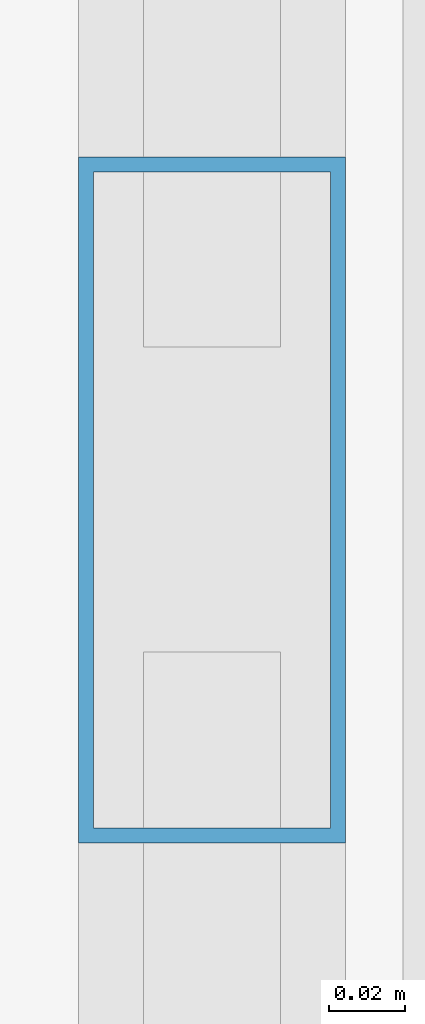
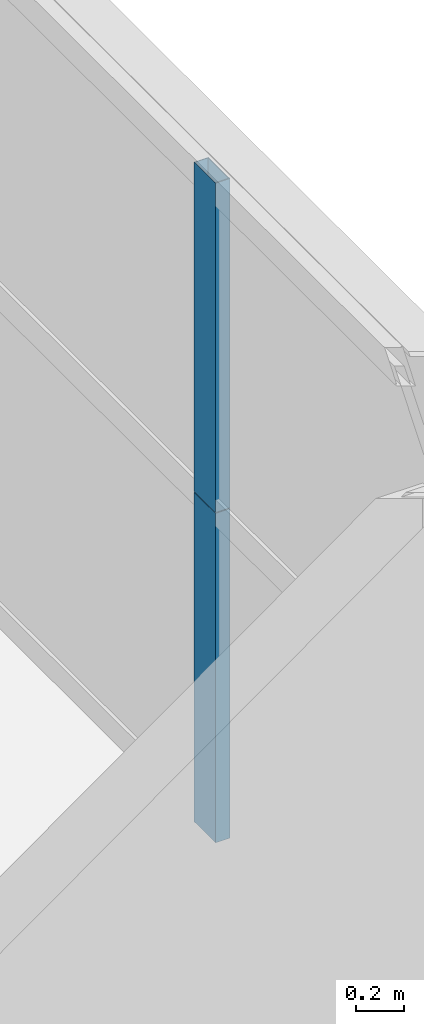
# One storey, part 28 of 38: 2 members, 1 element without a shape of its own.
"""IFC4 building model written with IfcOpenShell, lengths in metres."""

from ifc_helpers import new_model, si_unit, direction, frame, origin, origin_2d, place, context, subcontext, project, spatial, hollow_rectangle, extrude, source, transform, mapped, material, layer, layer_set, material_profile, profile_set, type_object, element, aggregate, save


model = new_model("IFC4")

# Units and contexts
model_context = context("Model", 3, precision=1e-05, world=origin(), true_north=direction((0.0, 1.0)))
body_context = subcontext(model_context, "Body", "Model", "MODEL_VIEW")
ifc_project = project(units=[si_unit("LENGTHUNIT", "METRE"), si_unit("AREAUNIT", "SQUARE_METRE"), si_unit("VOLUMEUNIT", "CUBIC_METRE"), si_unit("PLANEANGLEUNIT", "RADIAN"), si_unit("MASSUNIT", "GRAM", prefix="KILO"), si_unit("THERMODYNAMICTEMPERATUREUNIT", "KELVIN"), si_unit("POWERUNIT", "WATT")], contexts=[model_context])

# Site, building, storey
site_placement = place(None, origin())
site = spatial("IfcSite", under=ifc_project, at=site_placement, CompositionType="ELEMENT")
building_placement = place(site_placement, origin())
building = spatial("IfcBuilding", under=site, at=building_placement, Name="Yuzanri Waterfront Tower", CompositionType="ELEMENT")
storey_placement = place(building_placement, frame((0.0, 0.0, 90.199951171875)))
storey = spatial("IfcBuildingStorey", under=building, at=storey_placement, Name="L23", CompositionType="ELEMENT", Elevation=90.199951171875)

# Curtain wall, members
ifc_material_1 = material(Name="Anodized Architectural Bronze", Category="metal")
ifc_layer = layer(ifc_material_1, 0.159912109375)
ifc_layer_set = layer_set([ifc_layer], Name="Anodized Architectural Bronze")
curtain_wall_type = type_object("IfcCurtainWallType", Name="Anodized Bronze Hotel Upper-Tier Solar-Control Unitized Curtain Wall 7800", PredefinedType="NOTDEFINED", material=ifc_layer_set)
curtain_wall_placement = place(storey_placement, origin())
curtain_wall = element("IfcCurtainWall", 1, at=curtain_wall_placement, inside=storey, type_object=curtain_wall_type, Name="L23 Curtain Wall CW-L23-ER", PredefinedType="NOTDEFINED")
ifc_material_2 = material(Name="Anodized Architectural Bronze", Category="metal")
ifc_material_profile = material_profile(ifc_material_2, hollow_rectangle(XDim=0.070068359375, YDim=0.179931640625, WallThickness=0.00390625, at=origin_2d()), Name="CWM 70x180")
ifc_profile_set = profile_set([ifc_material_profile], Name="Anodized Architectural Bronze")
member_type = type_object("IfcMemberType", Name="Anodized Bronze Standard Curtain-Wall Mullion 70x180", PredefinedType="MULLION", material=ifc_profile_set)
shared_shape = source(origin(), body_context, "Body", "SweptSolid", [
    extrude(hollow_rectangle(XDim=0.070068359375, YDim=0.179931640625, WallThickness=0.00390625, at=origin_2d()), origin(), (0.0, 0.0, 1.0), 1.68798828125),
])
member_1_placement = place(storey_placement, frame((60.449951171875, 34.14990234375, 0.0), z_axis=(0.0, 0.0, 1.0), x_axis=(1.0, 0.0, 0.0)))
member_1 = element("IfcMember", 2, at=member_1_placement, type_object=member_type, Name="CW-L23-ER Lower Mullion 01", PredefinedType="MULLION", context=body_context, shape_type="MappedRepresentation", body=[
    mapped(shared_shape, transform((0.0, 0.0, 0.0), scale=1.0)),
])
member_2_placement = place(storey_placement, frame((60.449951171875, 34.14990234375, 1.692138671875), z_axis=(0.0, 0.0, 1.0), x_axis=(1.0, 0.0, 0.0)))
member_2 = element("IfcMember", 3, at=member_2_placement, type_object=member_type, Name="CW-L23-ER Upper Mullion 01", PredefinedType="MULLION", context=body_context, shape_type="MappedRepresentation", body=[
    mapped(shared_shape, transform((0.0, 0.0, 0.0), scale=1.0)),
])
aggregate(curtain_wall, [member_1, member_2])

save(model, "model.ifc")
